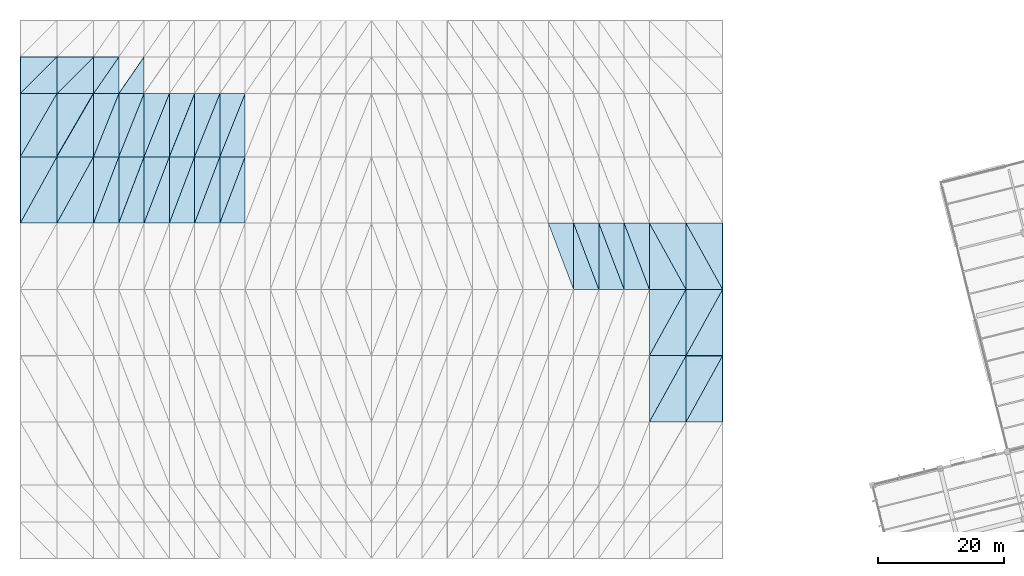
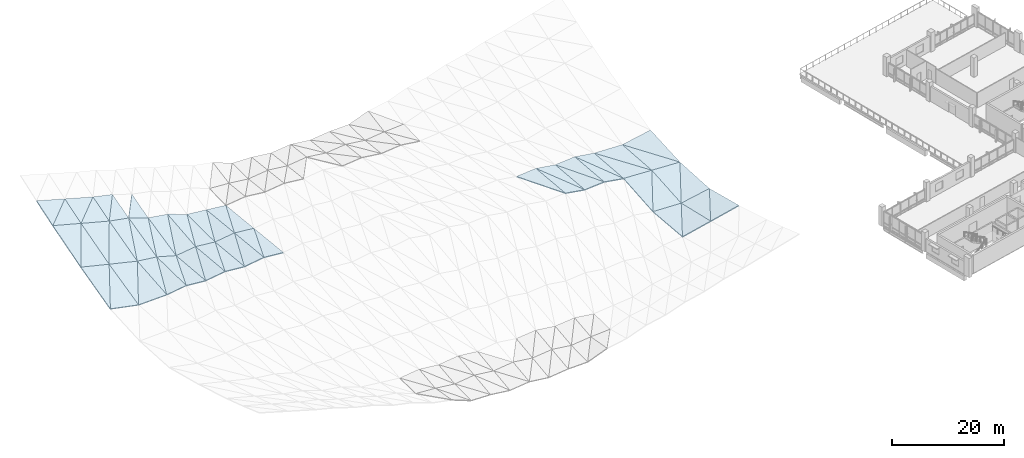
# One storey, part 29 of 42: 58 slabs, 4 elements without a shape of their own.
"""IFC4 building model written with IfcOpenShell, lengths in metres."""

from ifc_helpers import new_model, si_unit, direction, frame, origin, place, context, subcontext, project, spatial, polyline, outline, extrude, material, layer, layer_set, type_object, element, aggregate, save


model = new_model("IFC4")

# Units and contexts
model_context = context("Model", 3, precision=1e-05, world=origin(), true_north=direction((0.0, 1.0)))
body_context = subcontext(model_context, "Body", "Model", "MODEL_VIEW")
ifc_project = project(units=[si_unit("LENGTHUNIT", "METRE"), si_unit("AREAUNIT", "SQUARE_METRE"), si_unit("VOLUMEUNIT", "CUBIC_METRE"), si_unit("PLANEANGLEUNIT", "RADIAN"), si_unit("MASSUNIT", "GRAM", prefix="KILO")], contexts=[model_context])

# Site, building, storey
site_placement = place(None, origin())
site = spatial("IfcSite", under=ifc_project, at=site_placement, CompositionType="ELEMENT")
building_placement = place(site_placement, origin())
building = spatial("IfcBuilding", under=site, at=building_placement, Name="Khorjan Park Terminus", CompositionType="ELEMENT")
storey_placement = place(building_placement, frame((0.0, 0.0, 20.4)))
storey = spatial("IfcBuildingStorey", under=building, at=storey_placement, Name="L04", CompositionType="ELEMENT", Elevation=20.4)

# Roof, slabs
ifc_material = material(Name="Concrete C50/60", Category="concrete")
ifc_layer_1 = layer(ifc_material, 0.18)
ifc_layer_set_1 = layer_set([ifc_layer_1], Name="Concrete C50/60")
roof_type = type_object("IfcRoofType", Name="RF-SHELL-UPPER", PredefinedType="FREEFORM", material=ifc_layer_set_1)
roof_1_placement = place(storey_placement, origin())
roof_1 = element("IfcRoof", 1, at=roof_1_placement, inside=storey, type_object=roof_type, Name="Upper concourse upturned-corner folded concrete shell roof RF-CS1 (1)", PredefinedType="FREEFORM")
ifc_layer_2 = layer(ifc_material, 0.18)
ifc_layer_set_2 = layer_set([ifc_layer_2], Name="Concrete C50/60")
slab_type = type_object("IfcSlabType", Name="SL-SHL-180", PredefinedType="ROOF", material=ifc_layer_set_2)
slab_1_placement = place(storey_placement, frame((36.4, 67.5, 3.7668), z_axis=(0.19057478354, -0.225127210581, 0.955509806823), x_axis=(0.980684589092, 0.0, -0.195595850459)))
slab_1 = element("IfcSlab", 2, at=slab_1_placement, type_object=slab_type, Name="Upper concourse folded concrete shell facet RS-18 (13)", PredefinedType="ROOF", context=body_context, shape_type="SweptSolid", body=[
    extrude(outline(polyline([(0.0, 0.0), (5.914235896546573, -5.551115123125783e-17), (5.430351322096127, 10.776643119664346), (0.0, 0.0)])), origin(), (0.0, 0.0, -1.0), 0.18),
])
slab_2_placement = place(storey_placement, frame((36.4, 67.5, 3.7668), z_axis=(0.226820611716, -0.243577733356, 0.942985841842), x_axis=(0.48062946705, 0.87010506966, 0.109144322595)))
slab_2 = element("IfcSlab", 3, at=slab_2_placement, type_object=slab_type, Name="Upper concourse folded concrete shell facet RS-18 (14)", PredefinedType="ROOF", context=body_context, shape_type="SweptSolid", body=[
    extrude(outline(polyline([(0.0, 0.0), (12.067508127612763, 1.6653345369377348e-16), (9.432124463173388, 5.351734013495641), (0.0, 0.0)])), origin(), (0.0, 0.0, -1.0), 0.18),
])
slab_3_placement = place(storey_placement, frame((36.4, 78.0, 6.479), z_axis=(0.225520282172, -0.26473504399, 0.9375798413), x_axis=(0.972269251704, 0.0, -0.233864281561)))
slab_3 = element("IfcSlab", 4, at=slab_3_placement, type_object=slab_type, Name="Upper concourse folded concrete shell facet RS-18 (15)", PredefinedType="ROOF", context=body_context, shape_type="SweptSolid", body=[
    extrude(outline(polyline([(0.0, 0.0), (5.965425719091645, -5.551115123125783e-17), (5.30508653367642, 10.369988867892056), (0.0, 0.0)])), origin(), (0.0, 0.0, -1.0), 0.18),
])
slab_4_placement = place(storey_placement, frame((36.4, 78.0, 6.479), z_axis=(0.247451230816, -0.276186893288, 0.928702691039), x_axis=(0.49793092087, 0.858501587706, 0.122636951804)))
slab_4 = element("IfcSlab", 5, at=slab_4_placement, type_object=slab_type, Name="Upper concourse folded concrete shell facet RS-18 (16)", PredefinedType="ROOF", context=body_context, shape_type="SweptSolid", body=[
    extrude(outline(polyline([(0.0, 0.0), (11.648202103758333, 3.885780586188048e-16), (8.949725908032102, 5.36157508397476), (0.0, 0.0)])), origin(), (0.0, 0.0, -1.0), 0.18),
])
slab_5_placement = place(storey_placement, frame((36.4, 88.0, 9.4529), z_axis=(0.246306109006, -0.29121943987, 0.924404964563), x_axis=(0.96628745768, 0.0, -0.257465627086)))
slab_5 = element("IfcSlab", 6, at=slab_5_placement, type_object=slab_type, Name="Upper concourse folded concrete shell facet RS-18 (17)", PredefinedType="ROOF", context=body_context, shape_type="SweptSolid", body=[
    extrude(outline(polyline([(0.0, 0.0), (6.002354634641313, -1.1102230246251565e-16), (5.531913440829922, 6.062783595277443), (0.0, 0.0)])), origin(), (0.0, 0.0, -1.0), 0.18),
])
slab_6_placement = place(storey_placement, frame((36.4, 88.0, 9.4529), z_axis=(0.256199804494, -0.300832040465, 0.918619477045), x_axis=(0.706689847719, 0.706689847719, 0.034335379153)))
slab_6 = element("IfcSlab", 7, at=slab_6_placement, type_object=slab_type, Name="Upper concourse folded concrete shell facet RS-18 (18)", PredefinedType="ROOF", context=body_context, shape_type="SweptSolid", body=[
    extrude(outline(polyline([(0.0, 0.0), (8.20727794338659, 7.216449660063518e-16), (4.16401773593379, 4.4619140124871075), (0.0, 0.0)])), origin(), (0.0, 0.0, -1.0), 0.18),
])
slab_7_placement = place(storey_placement, frame((42.2, 67.5, 2.61), z_axis=(-0.032770428651, -0.087284812056, 0.99564424399), x_axis=(0.999458780806, 0.0, 0.032895979527)))
slab_7 = element("IfcSlab", 8, at=slab_7_placement, type_object=slab_type, Name="Upper concourse folded concrete shell facet RS-18 (33)", PredefinedType="ROOF", context=body_context, shape_type="SweptSolid", body=[
    extrude(outline(polyline([(0.0, 0.0), (5.803140771168658, 0.0), (5.833421520323156, 10.540227859312656), (0.0, 0.0)])), origin(), (0.0, 0.0, -1.0), 0.18),
])
slab_8_placement = place(storey_placement, frame((42.2, 67.5, 2.61), z_axis=(0.222900399784, -0.223560551112, 0.948860417429), x_axis=(0.481455955315, 0.871601298415, 0.092256922196)))
slab_8 = element("IfcSlab", 9, at=slab_8_placement, type_object=slab_type, Name="Upper concourse folded concrete shell facet RS-18 (34)", PredefinedType="ROOF", context=body_context, shape_type="SweptSolid", body=[
    extrude(outline(polyline([(0.0, 0.0), (12.0467925175127, -9.992007221626409e-16), (9.38004803317813, 5.327746250082779), (0.0, 0.0)])), origin(), (0.0, 0.0, -1.0), 0.18),
])
slab_9_placement = place(storey_placement, frame((42.2, 78.0, 5.0839), z_axis=(0.221395740689, -0.250523458042, 0.942455263116), x_axis=(0.973499651722, 0.0, -0.228688495771)))
slab_9 = element("IfcSlab", 10, at=slab_9_placement, type_object=slab_type, Name="Upper concourse folded concrete shell facet RS-18 (35)", PredefinedType="ROOF", context=body_context, shape_type="SweptSolid", body=[
    extrude(outline(polyline([(0.0, 0.0), (5.957886055473028, 0.0), (5.349986296015068, 10.329399068796352), (0.0, 0.0)])), origin(), (0.0, 0.0, -1.0), 0.18),
])
slab_10_placement = place(storey_placement, frame((42.2, 78.0, 5.0839), z_axis=(0.245744419081, -0.263402504219, 0.932860547596), x_axis=(0.498596083624, 0.859648420041, 0.111384645785)))
slab_10 = element("IfcSlab", 11, at=slab_10_placement, type_object=slab_type, Name="Upper concourse folded concrete shell facet RS-18 (36)", PredefinedType="ROOF", context=body_context, shape_type="SweptSolid", body=[
    extrude(outline(polyline([(0.0, 0.0), (11.632662570968005, -3.885780586188048e-16), (8.910989886245288, 5.344808341487486), (0.0, 0.0)])), origin(), (0.0, 0.0, -1.0), 0.18),
])
slab_11_placement = place(storey_placement, frame((42.2, 88.0, 7.9075), z_axis=(0.244585523529, -0.279530886305, 0.9284613106), x_axis=(0.967009499939, 0.0, -0.254740312923)))
slab_11 = element("IfcSlab", 12, at=slab_11_placement, type_object=slab_type, Name="Upper concourse folded concrete shell facet RS-18 (37)", PredefinedType="ROOF", context=body_context, shape_type="SweptSolid", body=[
    extrude(outline(polyline([(0.0, 0.0), (5.997872823760102, 0.0), (5.553045289333086, 6.0408064779974175), (0.0, 0.0)])), origin(), (0.0, 0.0, -1.0), 0.18),
])
slab_12_placement = place(storey_placement, frame((42.2, 88.0, 7.9075), z_axis=(0.255776881502, -0.29048139591, 0.922062224321), x_axis=(0.706856489826, 0.706856489826, 0.026604615815)))
slab_12 = element("IfcSlab", 13, at=slab_12_placement, type_object=slab_type, Name="Upper concourse folded concrete shell facet RS-18 (38)", PredefinedType="ROOF", context=body_context, shape_type="SweptSolid", body=[
    extrude(outline(polyline([(0.0, 0.0), (8.205343069610189, -1.6653345369377348e-16), (4.148379595006631, 4.446302573569707), (0.0, 0.0)])), origin(), (0.0, 0.0, -1.0), 0.18),
])
slab_13_placement = place(storey_placement, frame((48.0, 67.5, 2.8009), z_axis=(-0.150425093278, 0.015448853721, 0.988500695109), x_axis=(0.988618677516, 0.0, 0.150443047251)))
slab_13 = element("IfcSlab", 14, at=slab_13_placement, type_object=slab_type, Name="Upper concourse folded concrete shell facet RS-18 (53)", PredefinedType="ROOF", context=body_context, shape_type="SweptSolid", body=[
    extrude(outline(polyline([(0.0, 0.0), (4.046049392926389, 0.0), (4.021361688872496, 10.501253226509137), (0.0, 0.0)])), origin(), (0.0, 0.0, -1.0), 0.18),
])
slab_14_placement = place(storey_placement, frame((48.0, 67.5, 2.8009), z_axis=(0.117696665444, -0.086724726516, 0.989255435544), x_axis=(0.355716964137, 0.93375703086, 0.039537940564)))
slab_14 = element("IfcSlab", 15, at=slab_14_placement, type_object=slab_type, Name="Upper concourse folded concrete shell facet RS-18 (54)", PredefinedType="ROOF", context=body_context, shape_type="SweptSolid", body=[
    extrude(outline(polyline([(0.0, 0.0), (11.2448952489563, -8.326672684688674e-17), (9.840843498321682, 3.775595249962563), (0.0, 0.0)])), origin(), (0.0, 0.0, -1.0), 0.18),
])
slab_15_placement = place(storey_placement, frame((48.0, 78.0, 3.7214), z_axis=(0.114910383144, -0.232283649053, 0.9658363786), x_axis=(0.992996736267, 0.0, -0.118141786697)))
slab_15 = element("IfcSlab", 16, at=slab_15_placement, type_object=slab_type, Name="Upper concourse folded concrete shell facet RS-18 (55)", PredefinedType="ROOF", context=body_context, shape_type="SweptSolid", body=[
    extrude(outline(polyline([(0.0, 0.0), (4.028210621355344, 0.0), (3.7440796243483123, 10.281210754407276), (0.0, 0.0)])), origin(), (0.0, 0.0, -1.0), 0.18),
])
slab_16_placement = place(storey_placement, frame((48.0, 78.0, 3.7214), z_axis=(0.173486345816, -0.253003102153, 0.951783545832), x_axis=(0.365572946645, 0.913932366612, 0.176306692843)))
slab_16 = element("IfcSlab", 17, at=slab_16_placement, type_object=slab_type, Name="Upper concourse folded concrete shell facet RS-18 (56)", PredefinedType="ROOF", context=body_context, shape_type="SweptSolid", body=[
    extrude(outline(polyline([(0.0, 0.0), (10.941728693858206, -2.7755575615628914e-16), (9.607982117031494, 3.8409252633711866), (0.0, 0.0)])), origin(), (0.0, 0.0, -1.0), 0.18),
])
slab_17_placement = place(storey_placement, frame((48.0, 88.0, 6.3796), z_axis=(0.172989073563, -0.263379237329, 0.949055402899), x_axis=(0.983790717148, 0.0, -0.179320452968)))
slab_17 = element("IfcSlab", 18, at=slab_17_placement, type_object=slab_type, Name="Upper concourse folded concrete shell facet RS-18 (57)", PredefinedType="ROOF", context=body_context, shape_type="SweptSolid", body=[
    extrude(outline(polyline([(0.0, 0.0), (4.065905410852545, -2.7755575615628914e-17), (3.777271209754904, 6.012279306382622), (0.0, 0.0)])), origin(), (0.0, 0.0, -1.0), 0.18),
])
slab_18_placement = place(storey_placement, frame((48.0, 88.0, 6.3796), z_axis=(0.202924788483, -0.282288812043, 0.937621755728), x_axis=(0.563350778069, 0.8168586282, 0.124007590023)))
slab_18 = element("IfcSlab", 19, at=slab_18_placement, type_object=slab_type, Name="Upper concourse folded concrete shell facet RS-18 (58)", PredefinedType="ROOF", context=body_context, shape_type="SweptSolid", body=[
    extrude(outline(polyline([(0.0, 0.0), (7.100371838854637, 5.551115123125783e-16), (4.954322097259976, 3.484810898255671), (0.0, 0.0)])), origin(), (0.0, 0.0, -1.0), 0.18),
])
slab_19_placement = place(storey_placement, frame((52.0, 67.5, 3.4096), z_axis=(0.085687247956, 0.089158022138, 0.992324817097), x_axis=(0.996292558823, 0.0, -0.086029862454)))
slab_19 = element("IfcSlab", 20, at=slab_19_placement, type_object=slab_type, Name="Upper concourse folded concrete shell facet RS-18 (73)", PredefinedType="ROOF", context=body_context, shape_type="SweptSolid", body=[
    extrude(outline(polyline([(0.0, 0.0), (4.014884949783742, 0.0), (4.096045522023191, 10.541983519315224), (0.0, 0.0)])), origin(), (0.0, 0.0, -1.0), 0.18),
])
slab_20_placement = place(storey_placement, frame((52.0, 67.5, 3.4096), z_axis=(0.270648038783, 0.015043450542, 0.962560820779), x_axis=(0.353676362254, 0.928400450916, -0.113954523918)))
slab_20 = element("IfcSlab", 21, at=slab_20_placement, type_object=slab_type, Name="Upper concourse folded concrete shell facet RS-18 (74)", PredefinedType="ROOF", context=body_context, shape_type="SweptSolid", body=[
    extrude(outline(polyline([(0.0, 0.0), (11.309774774061594, -3.3306690738754696e-16), (9.766904671995587, 3.8580437968160513), (0.0, 0.0)])), origin(), (0.0, 0.0, -1.0), 0.18),
])
slab_21_placement = place(storey_placement, frame((52.0, 78.0, 3.2455), z_axis=(0.264906950261, -0.205405933301, 0.942142616735), x_axis=(0.962669755627, 0.0, -0.270678668538)))
slab_21 = element("IfcSlab", 22, at=slab_21_placement, type_object=slab_type, Name="Upper concourse folded concrete shell facet RS-18 (75)", PredefinedType="ROOF", context=body_context, shape_type="SweptSolid", body=[
    extrude(outline(polyline([(0.0, 0.0), (4.1551113210117485, 0.0), (3.5649776878644843, 10.217877193185892), (0.0, 0.0)])), origin(), (0.0, 0.0, -1.0), 0.18),
])
slab_22_placement = place(storey_placement, frame((52.0, 78.0, 3.2455), z_axis=(0.311681983552, -0.222184563303, 0.923844338057), x_axis=(0.369619976689, 0.924049941723, 0.097533471349)))
slab_22 = element("IfcSlab", 23, at=slab_22_placement, type_object=slab_type, Name="Upper concourse folded concrete shell facet RS-18 (76)", PredefinedType="ROOF", context=body_context, shape_type="SweptSolid", body=[
    extrude(outline(polyline([(0.0, 0.0), (10.821925902998967, -5.551115123125783e-16), (9.475067415827029, 4.000890209132576), (0.0, 0.0)])), origin(), (0.0, 0.0, -1.0), 0.18),
])
slab_23_placement = place(storey_placement, frame((52.0, 88.0, 5.6505), z_axis=(0.309031581188, -0.255860824409, 0.915988384403), x_axis=(0.947528159205, 0.0, -0.319672312712)))
slab_23 = element("IfcSlab", 24, at=slab_23_placement, type_object=slab_type, Name="Upper concourse folded concrete shell facet RS-18 (77)", PredefinedType="ROOF", context=body_context, shape_type="SweptSolid", body=[
    extrude(outline(polyline([(0.0, 0.0), (4.221510422822618, 5.551115123125783e-17), (3.7036093089984896, 5.999708530112084), (0.0, 0.0)])), origin(), (0.0, 0.0, -1.0), 0.18),
])
slab_24_placement = place(storey_placement, frame((56.0, 67.5, 3.0642), z_axis=(-0.149798260211, 0.092484989055, 0.984381535807), x_axis=(0.988618677516, 0.0, 0.150443047251)))
slab_24 = element("IfcSlab", 25, at=slab_24_placement, type_object=slab_type, Name="Upper concourse folded concrete shell facet RS-18 (93)", PredefinedType="ROOF", context=body_context, shape_type="SweptSolid", body=[
    extrude(outline(polyline([(0.0, 0.0), (4.046049392926389, 6.938893903907228e-18), (3.8976373268132547, 10.545195878153807), (0.0, 0.0)])), origin(), (0.0, 0.0, -1.0), 0.18),
])
slab_25_placement = place(storey_placement, frame((56.0, 67.5, 3.0642), z_axis=(-0.139456510512, 0.088612697526, 0.986255378446), x_axis=(0.355794261532, 0.933959936522, -0.033604768002)))
slab_25 = element("IfcSlab", 26, at=slab_25_placement, type_object=slab_type, Name="Upper concourse folded concrete shell facet RS-18 (94)", PredefinedType="ROOF", context=body_context, shape_type="SweptSolid", body=[
    extrude(outline(polyline([(0.0, 0.0), (11.242452260961572, 3.469446951953614e-16), (9.838282071614486, 3.787903039855821), (0.0, 0.0)])), origin(), (0.0, 0.0, -1.0), 0.18),
])
slab_26_placement = place(storey_placement, frame((56.0, 78.0, 2.1208), z_axis=(-0.139344910731, -0.097157105721, 0.985466129637), x_axis=(0.990150474603, 0.0, 0.140007277109)))
slab_26 = element("IfcSlab", 27, at=slab_26_placement, type_object=slab_type, Name="Upper concourse folded concrete shell facet RS-18 (95)", PredefinedType="ROOF", context=body_context, shape_type="SweptSolid", body=[
    extrude(outline(polyline([(0.0, 0.0), (4.039790014344805, -6.938893903907228e-18), (4.177823188846435, 10.047534307119186), (0.0, 0.0)])), origin(), (0.0, 0.0, -1.0), 0.18),
])
slab_27_placement = place(storey_placement, frame((56.0, 78.0, 2.1208), z_axis=(0.151788243329, -0.21054794217, 0.965727649617), x_axis=(0.367596208427, 0.918990521069, 0.142581379344)))
slab_27 = element("IfcSlab", 28, at=slab_27_placement, type_object=slab_type, Name="Upper concourse folded concrete shell facet RS-18 (96)", PredefinedType="ROOF", context=body_context, shape_type="SweptSolid", body=[
    extrude(outline(polyline([(0.0, 0.0), (10.881505054449038, -1.6653345369377348e-16), (9.500761133932546, 3.806416939321906), (0.0, 0.0)])), origin(), (0.0, 0.0, -1.0), 0.18),
])
slab_28_placement = place(storey_placement, frame((60.0, 67.5, 3.6729), z_axis=(0.08562224169, 0.097230716678, 0.991571994089), x_axis=(0.996292558823, 0.0, -0.086029862454)))
slab_28 = element("IfcSlab", 29, at=slab_28_placement, type_object=slab_type, Name="Upper concourse folded concrete shell facet RS-18 (113)", PredefinedType="ROOF", context=body_context, shape_type="SweptSolid", body=[
    extrude(outline(polyline([(0.0, 0.0), (4.014884949783742, 0.0), (4.103461296166758, 10.549987222307971), (0.0, 0.0)])), origin(), (0.0, 0.0, -1.0), 0.18),
])
slab_29_placement = place(storey_placement, frame((60.0, 67.5, 3.6729), z_axis=(0.096250196009, 0.093106152713, 0.990993009105), x_axis=(0.353359337795, 0.927568261713, -0.121467272367)))
slab_29 = element("IfcSlab", 30, at=slab_29_placement, type_object=slab_type, Name="Upper concourse folded concrete shell facet RS-18 (114)", PredefinedType="ROOF", context=body_context, shape_type="SweptSolid", body=[
    extrude(outline(polyline([(0.0, 0.0), (11.31992159866843, 4.579669976578771e-16), (9.859294212172665, 3.7439951773230913), (0.0, 0.0)])), origin(), (0.0, 0.0, -1.0), 0.18),
])
slab_30_placement = place(storey_placement, frame((60.0, 78.0, 2.6864), z_axis=(0.096669264145, 0.004190245581, 0.995307738949), x_axis=(0.995316476949, 0.0, -0.096670112824)))
slab_30 = element("IfcSlab", 31, at=slab_30_placement, type_object=slab_type, Name="Upper concourse folded concrete shell facet RS-18 (115)", PredefinedType="ROOF", context=body_context, shape_type="SweptSolid", body=[
    extrude(outline(polyline([(0.0, 0.0), (4.0188222466289805, 0.0), (4.022892058378858, 10.000087791946246), (0.0, 0.0)])), origin(), (0.0, 0.0, -1.0), 0.18),
])
slab_31_placement = place(storey_placement, frame((60.0, 78.0, 2.6864), z_axis=(0.332379965278, -0.092536084086, 0.93859503079), x_axis=(0.371094213145, 0.927735532861, -0.039948292045)))
slab_31 = element("IfcSlab", 32, at=slab_31_placement, type_object=slab_type, Name="Upper concourse folded concrete shell facet RS-18 (116)", PredefinedType="ROOF", context=body_context, shape_type="SweptSolid", body=[
    extrude(outline(polyline([(0.0, 0.0), (10.7789339157451, -1.6653345369377348e-16), (9.237970307485348, 3.953720198499014), (0.0, 0.0)])), origin(), (0.0, 0.0, -1.0), 0.18),
])
slab_32_placement = place(storey_placement, frame((64.0, 67.5, 3.3275), z_axis=(-0.149657647488, 0.10047903397, 0.983619109351), x_axis=(0.988622353186, 0.0, 0.150418891037)))
slab_32 = element("IfcSlab", 33, at=slab_32_placement, type_object=slab_type, Name="Upper concourse folded concrete shell facet RS-18 (133)", PredefinedType="ROOF", context=body_context, shape_type="SweptSolid", body=[
    extrude(outline(polyline([(0.0, 0.0), (4.046034349829473, 0.0), (3.8846950473029107, 10.553408946376535), (0.0, 0.0)])), origin(), (0.0, 0.0, -1.0), 0.18),
])
slab_33_placement = place(storey_placement, frame((64.0, 67.5, 3.3275), z_axis=(-0.139352001218, 0.096636910119, 0.985516274528), x_axis=(0.355692173208, 0.93369195467, -0.041260292092)))
slab_33 = element("IfcSlab", 34, at=slab_33_placement, type_object=slab_type, Name="Upper concourse folded concrete shell facet RS-18 (134)", PredefinedType="ROOF", context=body_context, shape_type="SweptSolid", body=[
    extrude(outline(polyline([(0.0, 0.0), (11.245678992395257, 8.326672684688674e-17), (9.846247120772182, 3.789656158107954), (0.0, 0.0)])), origin(), (0.0, 0.0, -1.0), 0.18),
])
slab_34_placement = place(storey_placement, frame((64.0, 78.0, 2.2979), z_axis=(-0.139296582326, 0.100630451801, 0.985124344599), x_axis=(0.990150474603, 0.0, 0.140007277109)))
slab_34 = element("IfcSlab", 35, at=slab_34_placement, type_object=slab_type, Name="Upper concourse folded concrete shell facet RS-18 (135)", PredefinedType="ROOF", context=body_context, shape_type="SweptSolid", body=[
    extrude(outline(polyline([(0.0, 0.0), (4.039790014344805, 6.938893903907228e-18), (3.896772580778099, 10.051020259839099), (0.0, 0.0)])), origin(), (0.0, 0.0, -1.0), 0.18),
])
slab_35_placement = place(storey_placement, frame((64.0, 78.0, 2.2979), z_axis=(0.102899945668, 0.004187614995, 0.994682896738), x_axis=(0.371058400288, 0.927646000721, -0.042291381173)))
slab_35 = element("IfcSlab", 36, at=slab_35_placement, type_object=slab_type, Name="Upper concourse folded concrete shell facet RS-18 (136)", PredefinedType="ROOF", context=body_context, shape_type="SweptSolid", body=[
    extrude(outline(polyline([(0.0, 0.0), (10.7799742490416, -7.7021722333370235e-16), (9.278240474358489, 3.730419026058066), (0.0, 0.0)])), origin(), (0.0, 0.0, -1.0), 0.18),
])
aggregate(roof_1, [slab_1, slab_2, slab_3, slab_4, slab_5, slab_6, slab_7, slab_8, slab_9, slab_10, slab_11, slab_12, slab_13, slab_14, slab_15, slab_16, slab_17, slab_18, slab_19, slab_20, slab_21, slab_22, slab_23, slab_24, slab_25, slab_26, slab_27, slab_28, slab_29, slab_30, slab_31, slab_32, slab_33, slab_34, slab_35])

roof_2_placement = place(storey_placement, origin())
roof_2 = element("IfcRoof", 37, at=roof_2_placement, inside=storey, type_object=roof_type, Name="Upper concourse upturned-corner folded concrete shell roof RF-CS1 (2)", PredefinedType="FREEFORM")
slab_36_placement = place(storey_placement, frame((68.0, 67.5, 3.9361), z_axis=(0.085527220121, 0.105275158373, 0.990758414372), x_axis=(0.996294693349, 0.0, -0.086005139403)))
slab_36 = element("IfcSlab", 38, at=slab_36_placement, type_object=slab_type, Name="Upper concourse folded concrete shell facet RS-18 (153)", PredefinedType="ROOF", context=body_context, shape_type="SweptSolid", body=[
    extrude(outline(polyline([(0.0, 0.0), (4.014876348033647, -6.938893903907228e-18), (4.110832282066007, 10.558673162321295), (0.0, 0.0)])), origin(), (0.0, 0.0, -1.0), 0.18),
])
slab_37_placement = place(storey_placement, frame((68.0, 67.5, 3.9361), z_axis=(0.096149759296, 0.101152696602, 0.990213792955), x_axis=(0.353023534466, 0.926686777974, -0.128941845964)))
slab_37 = element("IfcSlab", 39, at=slab_37_placement, type_object=slab_type, Name="Upper concourse folded concrete shell facet RS-18 (154)", PredefinedType="ROOF", context=body_context, shape_type="SweptSolid", body=[
    extrude(outline(polyline([(0.0, 0.0), (11.330689343548343, 9.71445146547012e-16), (9.868514192710458, 3.7433806095923803), (0.0, 0.0)])), origin(), (0.0, 0.0, -1.0), 0.18),
])
slab_38_placement = place(storey_placement, frame((68.0, 78.0, 2.8635), z_axis=(0.096109530431, 0.10516619576, 0.989799489508), x_axis=(0.995318870818, 0.0, -0.096645462356)))
slab_38 = element("IfcSlab", 40, at=slab_38_placement, type_object=slab_type, Name="Upper concourse folded concrete shell facet RS-18 (155)", PredefinedType="ROOF", context=body_context, shape_type="SweptSolid", body=[
    extrude(outline(polyline([(0.0, 0.0), (4.018812580850219, 0.0), (4.121498384603898, 10.055762620294269), (0.0, 0.0)])), origin(), (0.0, 0.0, -1.0), 0.18),
])
slab_39_placement = place(storey_placement, frame((68.0, 78.0, 2.8635), z_axis=(0.106190432068, 0.101046601172, 0.989198249356), x_axis=(0.368065952673, 0.920164881682, -0.133506722683)))
slab_39 = element("IfcSlab", 41, at=slab_39_placement, type_object=slab_type, Name="Upper concourse folded concrete shell facet RS-18 (156)", PredefinedType="ROOF", context=body_context, shape_type="SweptSolid", body=[
    extrude(outline(polyline([(0.0, 0.0), (10.867617531455549, -8.049116928532385e-16), (9.33802593404371, 3.7208512339419184), (0.0, 0.0)])), origin(), (0.0, 0.0, -1.0), 0.18),
])
aggregate(roof_2, [slab_36, slab_37, slab_38, slab_39])

# Roof, slab
roof_3_placement = place(storey_placement, origin())
roof_3 = element("IfcRoof", 42, at=roof_3_placement, inside=storey, type_object=roof_type, Name="Upper concourse upturned-corner folded concrete shell roof RF-CS1 (3)", PredefinedType="FREEFORM")
slab_40_placement = place(storey_placement, frame((124.0, 57.0, 4.6594), z_axis=(-0.085655436359, 0.093196666907, 0.991956414113), x_axis=(0.0, 0.995615480577, -0.093540444913)))
slab_40 = element("IfcSlab", 43, at=slab_40_placement, type_object=slab_type, Name="Upper concourse folded concrete shell facet RS-18 (412)", PredefinedType="ROOF", context=body_context, shape_type="SweptSolid", body=[
    extrude(outline(polyline([(0.0, 0.0), (10.54624019496996, 2.7755575615628914e-17), (10.578549064643012, 4.014754948554203), (0.0, 0.0)])), origin(), (0.0, 0.0, -1.0), 0.18),
])
aggregate(roof_3, [slab_40])

# Roof, slabs
roof_4_placement = place(storey_placement, origin())
roof_4 = element("IfcRoof", 44, at=roof_4_placement, inside=storey, type_object=roof_type, Name="Upper concourse upturned-corner folded concrete shell roof RF-CS1 (4)", PredefinedType="FREEFORM")
slab_41_placement = place(storey_placement, frame((124.0, 57.0, 4.6594), z_axis=(0.160141735554, 0.09233321476, 0.982766097292), x_axis=(0.986982323482, 0.0, -0.160828769611)))
slab_41 = element("IfcSlab", 45, at=slab_41_placement, type_object=slab_type, Name="Upper concourse folded concrete shell facet RS-18 (431)", PredefinedType="ROOF", context=body_context, shape_type="SweptSolid", body=[
    extrude(outline(polyline([(0.0, 0.0), (4.052757485959406, 6.938893903907228e-18), (0.15865758122158752, 10.545046705535302), (0.0, 0.0)])), origin(), (0.0, 0.0, -1.0), 0.18),
])
slab_42_placement = place(storey_placement, frame((128.0, 57.0, 4.0076), z_axis=(0.149853046941, 0.088476684571, 0.984741560314), x_axis=(0.0, 0.995987976977, -0.089487148331)))
slab_42 = element("IfcSlab", 46, at=slab_42_placement, type_object=slab_type, Name="Upper concourse folded concrete shell facet RS-18 (432)", PredefinedType="ROOF", context=body_context, shape_type="SweptSolid", body=[
    extrude(outline(polyline([(0.0, 0.0), (10.542295933998439, 2.7755575615628914e-17), (10.48782510680907, 4.045682713583123), (0.0, 0.0)])), origin(), (0.0, 0.0, -1.0), 0.18),
])
slab_43_placement = place(storey_placement, frame((128.0, 57.0, 4.0076), z_axis=(-0.075059454177, 0.089234710484, 0.993178354971), x_axis=(0.997156385058, 0.0, 0.075360093801)))
slab_43 = element("IfcSlab", 47, at=slab_43_placement, type_object=slab_type, Name="Upper concourse folded concrete shell facet RS-18 (451)", PredefinedType="ROOF", context=body_context, shape_type="SweptSolid", body=[
    extrude(outline(polyline([(0.0, 0.0), (4.011406896588777, -3.469446951953614e-18), (-0.07109471249165007, 10.542056208437502), (0.0, 0.0)])), origin(), (0.0, 0.0, -1.0), 0.18),
])
slab_44_placement = place(storey_placement, frame((132.0, 57.0, 4.3099), z_axis=(-0.0857176718, 0.08511497496, 0.992677148815), x_axis=(0.0, 0.99634422641, -0.08542940067)))
slab_44 = element("IfcSlab", 48, at=slab_44_placement, type_object=slab_type, Name="Upper concourse folded concrete shell facet RS-18 (452)", PredefinedType="ROOF", context=body_context, shape_type="SweptSolid", body=[
    extrude(outline(polyline([(0.0, 0.0), (10.538526466731486, 0.0), (10.568033781722976, 4.014776516614841), (0.0, 0.0)])), origin(), (0.0, 0.0, -1.0), 0.18),
])
slab_45_placement = place(storey_placement, frame((132.0, 57.0, 4.3099), z_axis=(0.160231987454, 0.084325600184, 0.983470845196), x_axis=(0.986986239924, 0.0, -0.16080473314)))
slab_45 = element("IfcSlab", 49, at=slab_45_placement, type_object=slab_type, Name="Upper concourse folded concrete shell facet RS-18 (471)", PredefinedType="ROOF", context=body_context, shape_type="SweptSolid", body=[
    extrude(outline(polyline([(0.0, 0.0), (4.052741404284266, -6.938893903907228e-18), (0.14477250124564045, 10.537532017170012), (0.0, 0.0)])), origin(), (0.0, 0.0, -1.0), 0.18),
])
slab_46_placement = place(storey_placement, frame((136.0, 57.0, 3.6582), z_axis=(0.149955326887, 0.08045668082, 0.985413680872), x_axis=(0.0, 0.996683406112, -0.081376827053)))
slab_46 = element("IfcSlab", 50, at=slab_46_placement, type_object=slab_type, Name="Upper concourse folded concrete shell facet RS-18 (472)", PredefinedType="ROOF", context=body_context, shape_type="SweptSolid", body=[
    extrude(outline(polyline([(0.0, 0.0), (10.534940118007315, 2.7755575615628914e-17), (10.48540604337997, 4.045746169181998), (0.0, 0.0)])), origin(), (0.0, 0.0, -1.0), 0.18),
])
slab_47_placement = place(storey_placement, frame((136.0, 36.0, 3.7214), z_axis=(-0.222900399784, 0.223560551112, 0.948860417429), x_axis=(0.973499651722, 0.0, 0.228688495771)))
slab_47 = element("IfcSlab", 51, at=slab_47_placement, type_object=slab_type, Name="Upper concourse folded concrete shell facet RS-18 (487)", PredefinedType="ROOF", context=body_context, shape_type="SweptSolid", body=[
    extrude(outline(polyline([(0.0, 0.0), (5.957886055473042, -5.551115123125783e-17), (5.392133585785643, 10.772655445759073), (0.0, 0.0)])), origin(), (0.0, 0.0, -1.0), 0.18),
])
slab_48_placement = place(storey_placement, frame((136.0, 36.0, 3.7214), z_axis=(0.032770428651, 0.087284812056, 0.99564424399), x_axis=(0.481455955315, 0.871601298415, -0.092256922196)))
slab_48 = element("IfcSlab", 52, at=slab_48_placement, type_object=slab_type, Name="Upper concourse folded concrete shell facet RS-18 (488)", PredefinedType="ROOF", context=body_context, shape_type="SweptSolid", body=[
    extrude(outline(polyline([(0.0, 0.0), (12.046792517512706, -5.689893001203927e-16), (9.236736130238796, 5.077403461449683), (0.0, 0.0)])), origin(), (0.0, 0.0, -1.0), 0.18),
])
slab_49_placement = place(storey_placement, frame((136.0, 46.5, 2.8009), z_axis=(0.03280221704, -0.07544812666, 0.996610051495), x_axis=(0.999458780806, 0.0, -0.032895979527)))
slab_49 = element("IfcSlab", 53, at=slab_49_placement, type_object=slab_type, Name="Upper concourse folded concrete shell facet RS-18 (489)", PredefinedType="ROOF", context=body_context, shape_type="SweptSolid", body=[
    extrude(outline(polyline([(0.0, 0.0), (5.803140771168672, 0.0), (5.776991757042752, 10.530013401656252), (0.0, 0.0)])), origin(), (0.0, 0.0, -1.0), 0.18),
])
slab_50_placement = place(storey_placement, frame((136.0, 46.5, 2.8009), z_axis=(0.043486393893, -0.081299846148, 0.995740562879), x_axis=(0.482906257458, 0.874226845398, 0.050288858535)))
slab_50 = element("IfcSlab", 54, at=slab_50_placement, type_object=slab_type, Name="Upper concourse folded concrete shell facet RS-18 (490)", PredefinedType="ROOF", context=body_context, shape_type="SweptSolid", body=[
    extrude(outline(polyline([(0.0, 0.0), (12.010612640494246, -1.2073675392798577e-15), (9.222494515104255, 5.092205633011291), (0.0, 0.0)])), origin(), (0.0, 0.0, -1.0), 0.18),
])
slab_51_placement = place(storey_placement, frame((136.0, 57.0, 3.6582), z_axis=(0.043486393893, 0.081299846148, 0.995740562879), x_axis=(0.999047722116, 0.0, -0.043630825519)))
slab_51 = element("IfcSlab", 55, at=slab_51_placement, type_object=slab_type, Name="Upper concourse folded concrete shell facet RS-18 (491)", PredefinedType="ROOF", context=body_context, shape_type="SweptSolid", body=[
    extrude(outline(polyline([(0.0, 0.0), (5.805528476374923, -3.469446951953614e-18), (0.03740470671768957, 10.534873714379085), (0.0, 0.0)])), origin(), (0.0, 0.0, -1.0), 0.18),
])
slab_52_placement = place(storey_placement, frame((141.8, 57.0, 3.4049), z_axis=(0.03280221704, 0.07544812666, 0.996610051495), x_axis=(0.0, 0.997146653519, -0.075488749989)))
slab_52 = element("IfcSlab", 56, at=slab_52_placement, type_object=slab_type, Name="Upper concourse folded concrete shell facet RS-18 (492)", PredefinedType="ROOF", context=body_context, shape_type="SweptSolid", body=[
    extrude(outline(polyline([(0.0, 0.0), (10.5300458693208, 6.938893903907228e-18), (10.515635066947933, 5.803122878138555), (0.0, 0.0)])), origin(), (0.0, 0.0, -1.0), 0.18),
])
slab_53_placement = place(storey_placement, frame((141.8, 36.0, 5.0839), z_axis=(-0.226820611716, 0.243577733356, 0.942985841842), x_axis=(0.972269251704, 0.0, 0.233864281561)))
slab_53 = element("IfcSlab", 57, at=slab_53_placement, type_object=slab_type, Name="Upper concourse folded concrete shell facet RS-18 (507)", PredefinedType="ROOF", context=body_context, shape_type="SweptSolid", body=[
    extrude(outline(polyline([(0.0, 0.0), (5.965425719091623, 0.0), (5.331139014642275, 10.826066193061948), (0.0, 0.0)])), origin(), (0.0, 0.0, -1.0), 0.18),
])
slab_54_placement = place(storey_placement, frame((141.8, 36.0, 5.0839), z_axis=(-0.19057478354, 0.225127210581, 0.955509806823), x_axis=(0.48062946705, 0.87010506966, -0.109144322595)))
slab_54 = element("IfcSlab", 58, at=slab_54_placement, type_object=slab_type, Name="Upper concourse folded concrete shell facet RS-18 (508)", PredefinedType="ROOF", context=body_context, shape_type="SweptSolid", body=[
    extrude(outline(polyline([(0.0, 0.0), (12.067508127612752, 8.881784197001252e-16), (9.406115371098966, 5.281588287208287), (0.0, 0.0)])), origin(), (0.0, 0.0, -1.0), 0.18),
])
slab_55_placement = place(storey_placement, frame((141.8, 46.5, 2.61), z_axis=(-0.19527376683, 0.057364160891, 0.979069716125), x_axis=(0.980684589092, 0.0, 0.195595850459)))
slab_55 = element("IfcSlab", 59, at=slab_55_placement, type_object=slab_type, Name="Upper concourse folded concrete shell facet RS-18 (509)", PredefinedType="ROOF", context=body_context, shape_type="SweptSolid", body=[
    extrude(outline(polyline([(0.0, 0.0), (5.914235896546552, -1.3877787807814457e-17), (5.793905329344194, 10.517318650425915), (0.0, 0.0)])), origin(), (0.0, 0.0, -1.0), 0.18),
])
slab_56_placement = place(storey_placement, frame((141.8, 46.5, 2.61), z_axis=(0.043506567638, -0.075417272788, 0.996202496251), x_axis=(0.483025953988, 0.874443537391, 0.045104630462)))
slab_56 = element("IfcSlab", 60, at=slab_56_placement, type_object=slab_type, Name="Upper concourse folded concrete shell facet RS-18 (510)", PredefinedType="ROOF", context=body_context, shape_type="SweptSolid", body=[
    extrude(outline(polyline([(0.0, 0.0), (12.007636343594013, -2.7755575615628914e-17), (9.217510813362303, 5.091106011030316), (0.0, 0.0)])), origin(), (0.0, 0.0, -1.0), 0.18),
])
slab_57_placement = place(storey_placement, frame((141.8, 57.0, 3.4049), z_axis=(0.043506567638, 0.075417272788, 0.996202496251), x_axis=(0.999047722116, 0.0, -0.043630825519)))
slab_57 = element("IfcSlab", 61, at=slab_57_placement, type_object=slab_type, Name="Upper concourse folded concrete shell facet RS-18 (511)", PredefinedType="ROOF", context=body_context, shape_type="SweptSolid", body=[
    extrude(outline(polyline([(0.0, 0.0), (5.805528476374895, 0.0), (0.03468214320528586, 10.529988753979877), (0.0, 0.0)])), origin(), (0.0, 0.0, -1.0), 0.18),
])
slab_58_placement = place(storey_placement, frame((147.6, 57.0, 3.1516), z_axis=(-0.19527376683, -0.057364160891, 0.979069716125), x_axis=(0.0, 0.998287984602, 0.058490168393)))
slab_58 = element("IfcSlab", 62, at=slab_58_placement, type_object=slab_type, Name="Upper concourse folded concrete shell facet RS-18 (512)", PredefinedType="ROOF", context=body_context, shape_type="SweptSolid", body=[
    extrude(outline(polyline([(0.0, 0.0), (10.518006989919716, 0.0), (10.450345563122601, 5.913848845829894), (0.0, 0.0)])), origin(), (0.0, 0.0, -1.0), 0.18),
])
aggregate(roof_4, [slab_41, slab_42, slab_43, slab_44, slab_45, slab_46, slab_47, slab_48, slab_49, slab_50, slab_51, slab_52, slab_53, slab_54, slab_55, slab_56, slab_57, slab_58])

save(model, "model.ifc")
